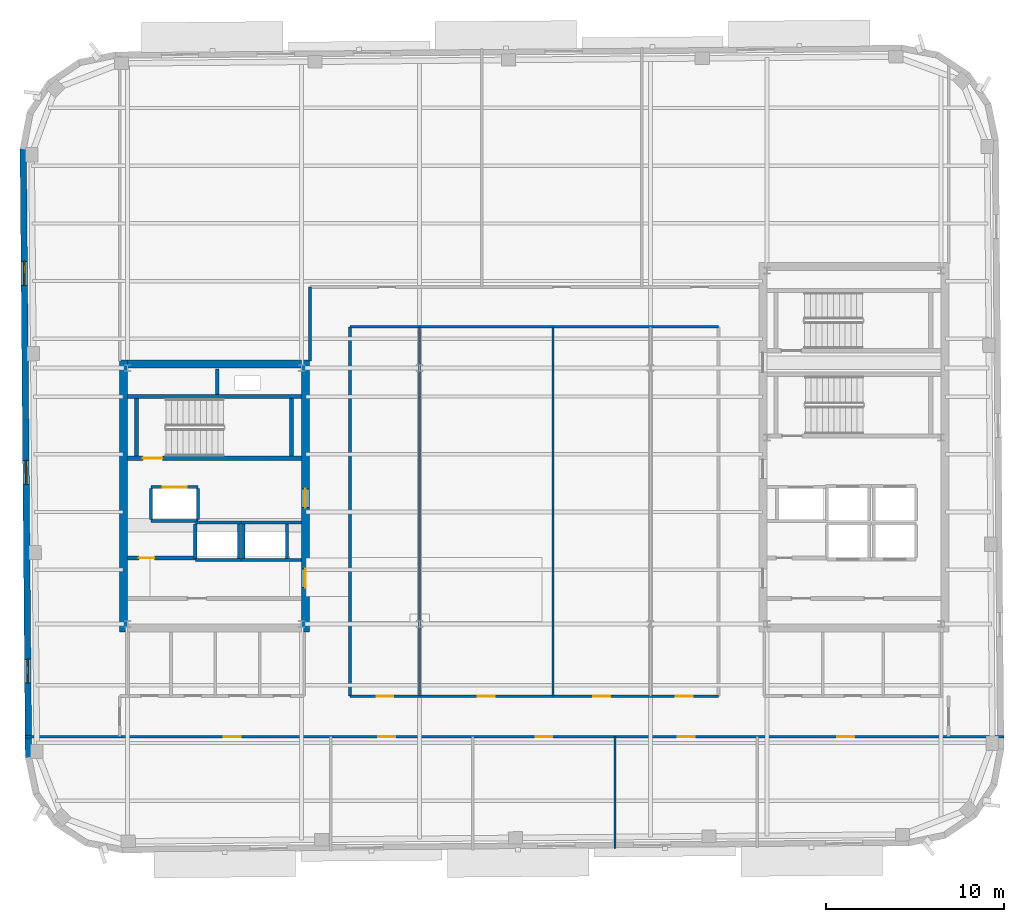
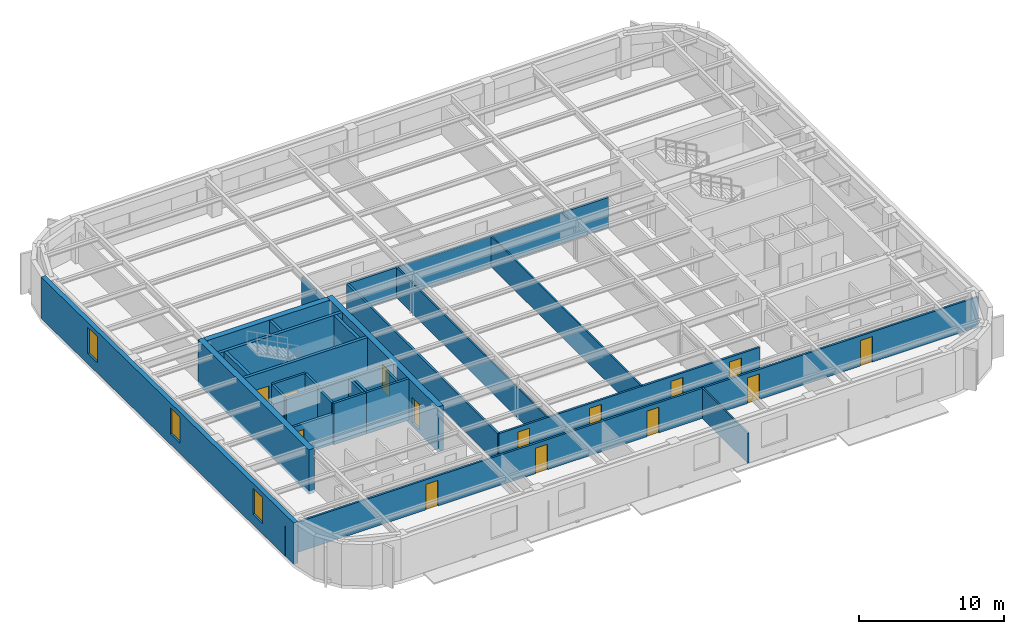
# One storey, part 7 of 15: 30 walls, 14 doors, 3 windows, 17 openings.
"""IFC4 building model written with IfcOpenShell, lengths in metres."""

from ifc_helpers import new_model, si_unit, direction, frame, frame_2d, origin, place, context, subcontext, project, spatial, rectangle, extrude, material, layer, layer_set, type_object, element, fill, save


model = new_model("IFC4")

# Units and contexts
model_context = context("Model", 3, precision=1e-05, world=origin(), true_north=direction((0.0, 1.0)))
body_context = subcontext(model_context, "Body", "Model", "MODEL_VIEW")
ifc_project = project(units=[si_unit("LENGTHUNIT", "METRE"), si_unit("AREAUNIT", "SQUARE_METRE"), si_unit("VOLUMEUNIT", "CUBIC_METRE"), si_unit("PLANEANGLEUNIT", "RADIAN"), si_unit("MASSUNIT", "GRAM", prefix="KILO")], contexts=[model_context])

# Site, building, storey
site_placement = place(None, origin())
site = spatial("IfcSite", under=ifc_project, at=site_placement, CompositionType="ELEMENT")
building_placement = place(site_placement, origin())
building = spatial("IfcBuilding", under=site, at=building_placement, Name="Kolvaren Arena Tower", CompositionType="ELEMENT")
storey_placement = place(building_placement, frame((0.0, 0.0, 293.64990234375)))
storey = spatial("IfcBuildingStorey", under=building, at=storey_placement, Name="L72", CompositionType="ELEMENT", Elevation=293.64990234375)

# Wall, openings, doors
ifc_material_1 = material(Name="Gypsum board acoustic assembly", Category="gypsum")
ifc_layer_1 = layer(ifc_material_1, 0.159912109375)
ifc_layer_set_1 = layer_set([ifc_layer_1], Name="Gypsum board acoustic assembly")
wall_type_1 = type_object("IfcWallType", Name="CORR-160", PredefinedType="PARTITIONING", material=ifc_layer_set_1)
wall_1_placement = place(storey_placement, frame((8.790283203125, 13.10009765625, 0.0), z_axis=(0.0, 0.0, 1.0), x_axis=(1.0, 0.0, 0.0)))
wall_1 = element("IfcWall", 1, at=wall_1_placement, inside=storey, type_object=wall_type_1, Name="Interior Partition Wall (L72)", PredefinedType="PARTITIONING", context=body_context, shape_type="SweptSolid", body=[
    extrude(rectangle(XDim=55.10205078125, YDim=0.159912109375, at=frame_2d((27.551025390625, 0.0))), origin(), (0.0, 0.0, 1.0), 2.5400390625),
])
opening_1_placement = place(wall_1_placement, frame((11.184814453125, 0.0, 0.0)))
opening_1 = element("IfcOpeningElement", 2, at=opening_1_placement, cuts=wall_1, Name="Opening D05", PredefinedType="OPENING", context=body_context, shape_type="SweptSolid", body=[
    extrude(rectangle(XDim=0.949951171875, YDim=2.14990234375, at=frame_2d((0.47509765625, 1.074951171875))), frame((0.0, 0.08984375, 0.0), z_axis=(0.0, -1.0, 0.0), x_axis=(1.0, 0.0, 0.0)), (0.0, 0.0, 1.0), 0.179931640625),
])
opening_2_placement = place(wall_1_placement, frame((19.884765625, 0.0, 0.0)))
opening_2 = element("IfcOpeningElement", 3, at=opening_2_placement, cuts=wall_1, Name="Opening D05", PredefinedType="OPENING", context=body_context, shape_type="SweptSolid", body=[
    extrude(rectangle(XDim=0.949951171875, YDim=2.14990234375, at=frame_2d((0.47509765625, 1.074951171875))), frame((0.0, 0.08984375, 0.0), z_axis=(0.0, -1.0, 0.0), x_axis=(1.0, 0.0, 0.0)), (0.0, 0.0, 1.0), 0.179931640625),
])
opening_3_placement = place(wall_1_placement, frame((28.734619140625, 0.0, 0.0)))
opening_3 = element("IfcOpeningElement", 4, at=opening_3_placement, cuts=wall_1, Name="Opening D05", PredefinedType="OPENING", context=body_context, shape_type="SweptSolid", body=[
    extrude(rectangle(XDim=0.949951171875, YDim=2.14990234375, at=frame_2d((0.47509765625, 1.074951171875))), frame((0.0, 0.08984375, 0.0), z_axis=(0.0, -1.0, 0.0), x_axis=(1.0, 0.0, 0.0)), (0.0, 0.0, 1.0), 0.179931640625),
])
opening_4_placement = place(wall_1_placement, frame((36.734619140625, 0.0, 0.0)))
opening_4 = element("IfcOpeningElement", 5, at=opening_4_placement, cuts=wall_1, Name="Opening D05", PredefinedType="OPENING", context=body_context, shape_type="SweptSolid", body=[
    extrude(rectangle(XDim=0.949951171875, YDim=2.14990234375, at=frame_2d((0.47509765625, 1.074951171875))), frame((0.0, 0.08984375, 0.0), z_axis=(0.0, -1.0, 0.0), x_axis=(1.0, 0.0, 0.0)), (0.0, 0.0, 1.0), 0.179931640625),
])
opening_5_placement = place(wall_1_placement, frame((45.734619140625, 0.0, 0.0)))
opening_5 = element("IfcOpeningElement", 6, at=opening_5_placement, cuts=wall_1, Name="Opening D05", PredefinedType="OPENING", context=body_context, shape_type="SweptSolid", body=[
    extrude(rectangle(XDim=0.949951171875, YDim=2.14990234375, at=frame_2d((0.47509765625, 1.074951171875))), frame((0.0, 0.08984375, 0.0), z_axis=(0.0, -1.0, 0.0), x_axis=(1.0, 0.0, 0.0)), (0.0, 0.0, 1.0), 0.179931640625),
])
ifc_material_2 = material(Name="Solid-core oak acoustic office door", Category="wood")
door_type_1 = type_object("IfcDoorType", Name="DOOR-OF-095", OperationType="NOTDEFINED", PredefinedType="DOOR", material=ifc_material_2)
door_1_placement = place(opening_1_placement, origin())
door_1 = element("IfcDoor", 7, at=door_1_placement, inside=storey, type_object=door_type_1, Name="Executive Office Door (L72)", OperationType="SINGLE_SWING_RIGHT", OverallHeight=2.14990234375, OverallWidth=0.949951171875, PredefinedType="DOOR", context=body_context, shape_type="SweptSolid", body=[
    extrude(rectangle(XDim=0.949951171875, YDim=2.14990234375, at=frame_2d((0.47509765625, 1.074951171875))), frame((0.0, 0.02490234375, 0.0), z_axis=(0.0, -1.0, 0.0), x_axis=(1.0, 0.0, 0.0)), (0.0, 0.0, 1.0), 0.050048828125),
])
fill(opening_1, door_1)
door_2_placement = place(opening_2_placement, origin())
door_2 = element("IfcDoor", 8, at=door_2_placement, inside=storey, type_object=door_type_1, Name="Executive Office Door (L72)", OperationType="SINGLE_SWING_LEFT", OverallHeight=2.14990234375, OverallWidth=0.949951171875, PredefinedType="DOOR", context=body_context, shape_type="SweptSolid", body=[
    extrude(rectangle(XDim=0.949951171875, YDim=2.14990234375, at=frame_2d((0.47509765625, 1.074951171875))), frame((0.0, 0.02490234375, 0.0), z_axis=(0.0, -1.0, 0.0), x_axis=(1.0, 0.0, 0.0)), (0.0, 0.0, 1.0), 0.050048828125),
])
fill(opening_2, door_2)
door_3_placement = place(opening_3_placement, origin())
door_3 = element("IfcDoor", 9, at=door_3_placement, inside=storey, type_object=door_type_1, Name="Meeting Room Door (L72)", OperationType="SINGLE_SWING_RIGHT", OverallHeight=2.14990234375, OverallWidth=0.949951171875, PredefinedType="DOOR", context=body_context, shape_type="SweptSolid", body=[
    extrude(rectangle(XDim=0.949951171875, YDim=2.14990234375, at=frame_2d((0.47509765625, 1.074951171875))), frame((0.0, 0.02490234375, 0.0), z_axis=(0.0, -1.0, 0.0), x_axis=(1.0, 0.0, 0.0)), (0.0, 0.0, 1.0), 0.050048828125),
])
fill(opening_3, door_3)
door_4_placement = place(opening_4_placement, origin())
door_4 = element("IfcDoor", 10, at=door_4_placement, inside=storey, type_object=door_type_1, Name="Client Lounge Door (L72)", OperationType="SINGLE_SWING_LEFT", OverallHeight=2.14990234375, OverallWidth=0.949951171875, PredefinedType="DOOR", context=body_context, shape_type="SweptSolid", body=[
    extrude(rectangle(XDim=0.949951171875, YDim=2.14990234375, at=frame_2d((0.47509765625, 1.074951171875))), frame((0.0, 0.02490234375, 0.0), z_axis=(0.0, -1.0, 0.0), x_axis=(1.0, 0.0, 0.0)), (0.0, 0.0, 1.0), 0.050048828125),
])
fill(opening_4, door_4)
door_5_placement = place(opening_5_placement, origin())
door_5 = element("IfcDoor", 11, at=door_5_placement, inside=storey, type_object=door_type_1, Name="Boardroom Door (L72)", OperationType="SINGLE_SWING_RIGHT", OverallHeight=2.14990234375, OverallWidth=0.949951171875, PredefinedType="DOOR", context=body_context, shape_type="SweptSolid", body=[
    extrude(rectangle(XDim=0.949951171875, YDim=2.14990234375, at=frame_2d((0.47509765625, 1.074951171875))), frame((0.0, 0.02490234375, 0.0), z_axis=(0.0, -1.0, 0.0), x_axis=(1.0, 0.0, 0.0)), (0.0, 0.0, 1.0), 0.050048828125),
])
fill(opening_5, door_5)

# Wall
wall_2_placement = place(storey_placement, frame((24.820068359375, 34.25, 0.0), z_axis=(0.0, 0.0, 1.0), x_axis=(0.0, 1.0, 0.0)))
element("IfcWall", 12, at=wall_2_placement, inside=storey, type_object=wall_type_1, Name="Interior Partition Wall (L72)", PredefinedType="PARTITIONING", context=body_context, shape_type="SweptSolid", body=[
    extrude(rectangle(XDim=4.169921875, YDim=0.159912109375, at=frame_2d((2.0849609375, 0.0))), origin(), (0.0, 0.0, 1.0), 2.5400390625),
])

# Wall, openings, doors
wall_3_placement = place(storey_placement, frame((27.080078125, 15.3798828125, 0.0), z_axis=(0.0, 0.0, 1.0), x_axis=(1.0, 0.0, 0.0)))
wall_3 = element("IfcWall", 13, at=wall_3_placement, inside=storey, type_object=wall_type_1, Name="Interior Partition Wall (L72)", PredefinedType="PARTITIONING", context=body_context, shape_type="SweptSolid", body=[
    extrude(rectangle(XDim=20.739990234375, YDim=0.159912109375, at=frame_2d((10.3701171875, 0.0))), origin(), (0.0, 0.0, 1.0), 2.5400390625),
])
opening_6_placement = place(wall_3_placement, frame((1.4951171875, 0.0, 0.0)))
opening_6 = element("IfcOpeningElement", 14, at=opening_6_placement, cuts=wall_3, Name="Opening D05", PredefinedType="OPENING", context=body_context, shape_type="SweptSolid", body=[
    extrude(rectangle(XDim=0.949951171875, YDim=2.14990234375, at=frame_2d((0.47509765625, 1.074951171875))), frame((0.0, 0.08984375, 0.0), z_axis=(0.0, -1.0, 0.0), x_axis=(1.0, 0.0, 0.0)), (0.0, 0.0, 1.0), 0.179931640625),
])
opening_7_placement = place(wall_3_placement, frame((7.195068359375, 0.0, 0.0)))
opening_7 = element("IfcOpeningElement", 15, at=opening_7_placement, cuts=wall_3, Name="Opening D05", PredefinedType="OPENING", context=body_context, shape_type="SweptSolid", body=[
    extrude(rectangle(XDim=0.949951171875, YDim=2.14990234375, at=frame_2d((0.47509765625, 1.074951171875))), frame((0.0, 0.08984375, 0.0), z_axis=(0.0, -1.0, 0.0), x_axis=(1.0, 0.0, 0.0)), (0.0, 0.0, 1.0), 0.179931640625),
])
opening_8_placement = place(wall_3_placement, frame((13.695068359375, 0.0, 0.0)))
opening_8 = element("IfcOpeningElement", 16, at=opening_8_placement, cuts=wall_3, Name="Opening D05", PredefinedType="OPENING", context=body_context, shape_type="SweptSolid", body=[
    extrude(rectangle(XDim=0.949951171875, YDim=2.14990234375, at=frame_2d((0.47509765625, 1.074951171875))), frame((0.0, 0.08984375, 0.0), z_axis=(0.0, -1.0, 0.0), x_axis=(1.0, 0.0, 0.0)), (0.0, 0.0, 1.0), 0.179931640625),
])
opening_9_placement = place(wall_3_placement, frame((18.344970703125, 0.0, 0.0)))
opening_9 = element("IfcOpeningElement", 17, at=opening_9_placement, cuts=wall_3, Name="Opening D05", PredefinedType="OPENING", context=body_context, shape_type="SweptSolid", body=[
    extrude(rectangle(XDim=0.949951171875, YDim=2.14990234375, at=frame_2d((0.47509765625, 1.074951171875))), frame((0.0, 0.08984375, 0.0), z_axis=(0.0, -1.0, 0.0), x_axis=(1.0, 0.0, 0.0)), (0.0, 0.0, 1.0), 0.179931640625),
])
door_6_placement = place(opening_6_placement, origin())
door_6 = element("IfcDoor", 18, at=door_6_placement, inside=storey, type_object=door_type_1, Name="Meeting Room Door (L72)", OperationType="SINGLE_SWING_RIGHT", OverallHeight=2.14990234375, OverallWidth=0.949951171875, PredefinedType="DOOR", context=body_context, shape_type="SweptSolid", body=[
    extrude(rectangle(XDim=0.949951171875, YDim=2.14990234375, at=frame_2d((0.47509765625, 1.074951171875))), frame((0.0, 0.02490234375, 0.0), z_axis=(0.0, -1.0, 0.0), x_axis=(1.0, 0.0, 0.0)), (0.0, 0.0, 1.0), 0.050048828125),
])
fill(opening_6, door_6)
door_7_placement = place(opening_7_placement, origin())
door_7 = element("IfcDoor", 19, at=door_7_placement, inside=storey, type_object=door_type_1, Name="Open Plan Office Door (L72)", OperationType="SINGLE_SWING_LEFT", OverallHeight=2.14990234375, OverallWidth=0.949951171875, PredefinedType="DOOR", context=body_context, shape_type="SweptSolid", body=[
    extrude(rectangle(XDim=0.949951171875, YDim=2.14990234375, at=frame_2d((0.47509765625, 1.074951171875))), frame((0.0, 0.02490234375, 0.0), z_axis=(0.0, -1.0, 0.0), x_axis=(1.0, 0.0, 0.0)), (0.0, 0.0, 1.0), 0.050048828125),
])
fill(opening_7, door_7)
door_8_placement = place(opening_8_placement, origin())
door_8 = element("IfcDoor", 20, at=door_8_placement, inside=storey, type_object=door_type_1, Name="Corporate Project Office Door (L72)", OperationType="SINGLE_SWING_RIGHT", OverallHeight=2.14990234375, OverallWidth=0.949951171875, PredefinedType="DOOR", context=body_context, shape_type="SweptSolid", body=[
    extrude(rectangle(XDim=0.949951171875, YDim=2.14990234375, at=frame_2d((0.47509765625, 1.074951171875))), frame((0.0, 0.02490234375, 0.0), z_axis=(0.0, -1.0, 0.0), x_axis=(1.0, 0.0, 0.0)), (0.0, 0.0, 1.0), 0.050048828125),
])
fill(opening_8, door_8)
door_9_placement = place(opening_9_placement, origin())
door_9 = element("IfcDoor", 21, at=door_9_placement, inside=storey, type_object=door_type_1, Name="Breakout Pantry and Kitchen Door (L72)", OperationType="SINGLE_SWING_LEFT", OverallHeight=2.14990234375, OverallWidth=0.949951171875, PredefinedType="DOOR", context=body_context, shape_type="SweptSolid", body=[
    extrude(rectangle(XDim=0.949951171875, YDim=2.14990234375, at=frame_2d((0.47509765625, 1.074951171875))), frame((0.0, 0.02490234375, 0.0), z_axis=(0.0, -1.0, 0.0), x_axis=(1.0, 0.0, 0.0)), (0.0, 0.0, 1.0), 0.050048828125),
])
fill(opening_9, door_9)

# Walls
wall_4_placement = place(storey_placement, frame((27.080078125, 36.179931640625, 0.0), z_axis=(0.0, 0.0, 1.0), x_axis=(1.0, 0.0, 0.0)))
element("IfcWall", 22, at=wall_4_placement, inside=storey, type_object=wall_type_1, Name="Interior Partition Wall (L72)", PredefinedType="PARTITIONING", context=body_context, shape_type="SweptSolid", body=[
    extrude(rectangle(XDim=20.739990234375, YDim=0.159912109375, at=frame_2d((10.3701171875, 0.0))), origin(), (0.0, 0.0, 1.0), 2.5400390625),
])
wall_5_placement = place(storey_placement, frame((27.080078125, 15.3798828125, 0.0), z_axis=(0.0, 0.0, 1.0), x_axis=(0.0, 1.0, 0.0)))
element("IfcWall", 23, at=wall_5_placement, inside=storey, type_object=wall_type_1, Name="Interior Partition Wall (L72)", PredefinedType="PARTITIONING", context=body_context, shape_type="SweptSolid", body=[
    extrude(rectangle(XDim=20.800048828125, YDim=0.159912109375, at=frame_2d((10.39990234375, 0.0))), origin(), (0.0, 0.0, 1.0), 2.5400390625),
])
ifc_material_3 = material(Name="Concrete 55 MPa", Category="concrete")
ifc_layer_2 = layer(ifc_material_3, 0.449951171875)
ifc_layer_set_2 = layer_set([ifc_layer_2], Name="Concrete 55 MPa")
wall_type_2 = type_object("IfcWallType", Name="CWALL-450", PredefinedType="SHEAR", material=ifc_layer_set_2)
wall_6_placement = place(storey_placement, frame((14.324951171875, 19.0, -0.27001953125), z_axis=(0.0, 0.0, 1.0), x_axis=(0.0, 1.0, 0.0)))
element("IfcWall", 24, at=wall_6_placement, inside=storey, type_object=wall_type_2, Name="Core Shear Wall WC-WEST (L72)", PredefinedType="SHEAR", context=body_context, shape_type="SweptSolid", body=[
    extrude(rectangle(XDim=15.300048828125, YDim=0.449951171875, at=frame_2d((7.64990234375, 0.0))), origin(), (0.0, 0.0, 1.0), 3.75),
])

# Wall, openings, doors
wall_7_placement = place(storey_placement, frame((24.574951171875, 19.0, -0.27001953125), z_axis=(0.0, 0.0, 1.0), x_axis=(0.0, 1.0, 0.0)))
wall_7 = element("IfcWall", 25, at=wall_7_placement, inside=storey, type_object=wall_type_2, Name="Core Shear Wall WC-EAST (L72)", PredefinedType="SHEAR", context=body_context, shape_type="SweptSolid", body=[
    extrude(rectangle(XDim=15.300048828125, YDim=0.449951171875, at=frame_2d((7.64990234375, 0.0))), origin(), (0.0, 0.0, 1.0), 3.75),
])
opening_10_placement = place(wall_7_placement, frame((2.5, 0.0, 0.27001953125)))
opening_10 = element("IfcOpeningElement", 26, at=opening_10_placement, cuts=wall_7, Name="Opening D04", PredefinedType="OPENING", context=body_context, shape_type="SweptSolid", body=[
    extrude(rectangle(XDim=1.050048828125, YDim=2.14990234375, at=frame_2d((0.52490234375, 1.074951171875))), frame((0.0, 0.23486328125, 0.0), z_axis=(0.0, -1.0, 0.0), x_axis=(1.0, 0.0, 0.0)), (0.0, 0.0, 1.0), 0.469970703125),
])
opening_11_placement = place(wall_7_placement, frame((7.0, 0.0, 0.27001953125)))
opening_11 = element("IfcOpeningElement", 27, at=opening_11_placement, cuts=wall_7, Name="Opening D04", PredefinedType="OPENING", context=body_context, shape_type="SweptSolid", body=[
    extrude(rectangle(XDim=1.050048828125, YDim=2.14990234375, at=frame_2d((0.52490234375, 1.074951171875))), frame((0.0, 0.23486328125, 0.0), z_axis=(0.0, -1.0, 0.0), x_axis=(1.0, 0.0, 0.0)), (0.0, 0.0, 1.0), 0.469970703125),
])
ifc_material_4 = material(Name="Fire-rated steel lobby door", Category="steel")
door_type_2 = type_object("IfcDoorType", Name="DOOR-FF-105", OperationType="NOTDEFINED", PredefinedType="DOOR", material=ifc_material_4)
door_10_placement = place(opening_10_placement, origin())
door_10 = element("IfcDoor", 28, at=door_10_placement, inside=storey, type_object=door_type_2, Name="West Lift Lobby Fire Door (L72)", OperationType="SINGLE_SWING_LEFT", OverallHeight=2.14990234375, OverallWidth=1.050048828125, PredefinedType="DOOR", context=body_context, shape_type="SweptSolid", body=[
    extrude(rectangle(XDim=1.050048828125, YDim=2.14990234375, at=frame_2d((0.52490234375, 1.074951171875))), frame((0.0, 0.02490234375, 0.0), z_axis=(0.0, -1.0, 0.0), x_axis=(1.0, 0.0, 0.0)), (0.0, 0.0, 1.0), 0.050048828125),
])
fill(opening_10, door_10)
door_11_placement = place(opening_11_placement, origin())
door_11 = element("IfcDoor", 29, at=door_11_placement, inside=storey, type_object=door_type_2, Name="West Firefighter Vestibule Door (L72)", OperationType="SINGLE_SWING_RIGHT", OverallHeight=2.14990234375, OverallWidth=1.050048828125, PredefinedType="DOOR", context=body_context, shape_type="SweptSolid", body=[
    extrude(rectangle(XDim=1.050048828125, YDim=2.14990234375, at=frame_2d((0.52490234375, 1.074951171875))), frame((0.0, 0.02490234375, 0.0), z_axis=(0.0, -1.0, 0.0), x_axis=(1.0, 0.0, 0.0)), (0.0, 0.0, 1.0), 0.050048828125),
])
fill(opening_11, door_11)

# Wall
wall_8_placement = place(storey_placement, frame((14.550048828125, 34.074951171875, -0.27001953125), z_axis=(0.0, 0.0, 1.0), x_axis=(1.0, 0.0, 0.0)))
element("IfcWall", 30, at=wall_8_placement, inside=storey, type_object=wall_type_2, Name="Core Shear Wall WC-NORTH (L72)", PredefinedType="SHEAR", context=body_context, shape_type="SweptSolid", body=[
    extrude(rectangle(XDim=9.800048828125, YDim=0.449951171875, at=frame_2d((4.89990234375, 0.0))), origin(), (0.0, 0.0, 1.0), 3.75),
])

# Wall, openings, windows
ifc_material_5 = material(Name="Precast concrete C50/60", Category="concrete")
ifc_layer_3 = layer(ifc_material_5, 0.360107421875)
ifc_layer_set_3 = layer_set([ifc_layer_3], Name="Precast concrete C50/60")
wall_type_3 = type_object("IfcWallType", Name="EXT-PIER2", PredefinedType="SOLIDWALL", material=ifc_layer_set_3)
wall_9_placement = place(storey_placement, frame((8.980712890625, 11.911865234375, 0.0), z_axis=(0.0, 0.0, 1.0), x_axis=(-0.008726453825, 0.999961923777, 0.0)))
wall_9 = element("IfcWall", 31, at=wall_9_placement, inside=storey, type_object=wall_type_3, Name="Exterior Precast Masonry-Frame Wall (L72)", PredefinedType="SOLIDWALL", context=body_context, shape_type="SweptSolid", body=[
    extrude(rectangle(XDim=34.2998046875, YDim=0.360107421875, at=frame_2d((17.14990234375, 0.0))), origin(), (0.0, 0.0, 1.0), 3.47998046875),
])
opening_12_placement = place(wall_9_placement, frame((4.199951171875, 0.0, 0.8798828125)))
opening_12 = element("IfcOpeningElement", 32, at=opening_12_placement, cuts=wall_9, Name="Opening W04", PredefinedType="OPENING", context=body_context, shape_type="SweptSolid", body=[
    extrude(rectangle(XDim=1.35009765625, YDim=2.199951171875, at=frame_2d((0.675048828125, 1.10009765625))), frame((0.0, 0.18994140625, 0.0), z_axis=(0.0, -1.0, 0.0), x_axis=(1.0, 0.0, 0.0)), (0.0, 0.0, 1.0), 0.380126953125),
])
opening_13_placement = place(wall_9_placement, frame((15.39990234375, 0.0, 0.8798828125)))
opening_13 = element("IfcOpeningElement", 33, at=opening_13_placement, cuts=wall_9, Name="Opening W04", PredefinedType="OPENING", context=body_context, shape_type="SweptSolid", body=[
    extrude(rectangle(XDim=1.35009765625, YDim=2.199951171875, at=frame_2d((0.675048828125, 1.10009765625))), frame((0.0, 0.18994140625, 0.0), z_axis=(0.0, -1.0, 0.0), x_axis=(1.0, 0.0, 0.0)), (0.0, 0.0, 1.0), 0.380126953125),
])
opening_14_placement = place(wall_9_placement, frame((26.60009765625, 0.0, 0.8798828125)))
opening_14 = element("IfcOpeningElement", 34, at=opening_14_placement, cuts=wall_9, Name="Opening W04", PredefinedType="OPENING", context=body_context, shape_type="SweptSolid", body=[
    extrude(rectangle(XDim=1.35009765625, YDim=2.199951171875, at=frame_2d((0.675048828125, 1.10009765625))), frame((0.0, 0.18994140625, 0.0), z_axis=(0.0, -1.0, 0.0), x_axis=(1.0, 0.0, 0.0)), (0.0, 0.0, 1.0), 0.380126953125),
])
ifc_material_6 = material(Name="Triple-glazed curved-facet corner window", Category="glass")
window_type = type_object("IfcWindowType", Name="WIN-CRN-A", PartitioningType="SINGLE_PANEL", PredefinedType="WINDOW", material=ifc_material_6)
window_1_placement = place(opening_12_placement, origin())
window_1 = element("IfcWindow", 35, at=window_1_placement, inside=storey, type_object=window_type, Name="End-Wall Punched Window (L72)", OverallHeight=2.199951171875, OverallWidth=1.35009765625, PartitioningType="SINGLE_PANEL", PredefinedType="WINDOW", context=body_context, shape_type="SweptSolid", body=[
    extrude(rectangle(XDim=1.35009765625, YDim=2.199951171875, at=frame_2d((0.675048828125, 1.10009765625))), frame((0.0, 0.030029296875, 0.0), z_axis=(0.0, -1.0, 0.0), x_axis=(1.0, 0.0, 0.0)), (0.0, 0.0, 1.0), 0.06005859375),
])
fill(opening_12, window_1)
window_2_placement = place(opening_13_placement, origin())
window_2 = element("IfcWindow", 36, at=window_2_placement, inside=storey, type_object=window_type, Name="End-Wall Punched Window (L72)", OverallHeight=2.199951171875, OverallWidth=1.35009765625, PartitioningType="SINGLE_PANEL", PredefinedType="WINDOW", context=body_context, shape_type="SweptSolid", body=[
    extrude(rectangle(XDim=1.35009765625, YDim=2.199951171875, at=frame_2d((0.675048828125, 1.10009765625))), frame((0.0, 0.030029296875, 0.0), z_axis=(0.0, -1.0, 0.0), x_axis=(1.0, 0.0, 0.0)), (0.0, 0.0, 1.0), 0.06005859375),
])
fill(opening_13, window_2)
window_3_placement = place(opening_14_placement, origin())
window_3 = element("IfcWindow", 37, at=window_3_placement, inside=storey, type_object=window_type, Name="End-Wall Punched Window (L72)", OverallHeight=2.199951171875, OverallWidth=1.35009765625, PartitioningType="SINGLE_PANEL", PredefinedType="WINDOW", context=body_context, shape_type="SweptSolid", body=[
    extrude(rectangle(XDim=1.35009765625, YDim=2.199951171875, at=frame_2d((0.675048828125, 1.10009765625))), frame((0.0, 0.030029296875, 0.0), z_axis=(0.0, -1.0, 0.0), x_axis=(1.0, 0.0, 0.0)), (0.0, 0.0, 1.0), 0.06005859375),
])
fill(opening_14, window_3)

# Wall, opening, door
ifc_material_7 = material(Name="Concrete 40 MPa", Category="concrete")
ifc_layer_4 = layer(ifc_material_7, 0.199951171875)
ifc_layer_set_4 = layer_set([ifc_layer_4], Name="Concrete 40 MPa")
wall_type_4 = type_object("IfcWallType", Name="LOBBY-200", PredefinedType="SOLIDWALL", material=ifc_layer_set_4)
wall_10_placement = place(storey_placement, frame((14.550048828125, 23.159912109375, 0.0), z_axis=(0.0, 0.0, 1.0), x_axis=(1.0, 0.0, 0.0)))
wall_10 = element("IfcWall", 38, at=wall_10_placement, inside=storey, type_object=wall_type_4, Name="Core Shaft Wall (L72)", PredefinedType="SOLIDWALL", context=body_context, shape_type="SweptSolid", body=[
    extrude(rectangle(XDim=3.820068359375, YDim=0.199951171875, at=frame_2d((1.91015625, 0.0))), origin(), (0.0, 0.0, 1.0), 2.5400390625),
])
opening_15_placement = place(wall_10_placement, frame((0.64990234375, 0.0, 0.0)))
opening_15 = element("IfcOpeningElement", 39, at=opening_15_placement, cuts=wall_10, Name="Opening D09", PredefinedType="OPENING", context=body_context, shape_type="SweptSolid", body=[
    extrude(rectangle(XDim=0.860107421875, YDim=2.050048828125, at=frame_2d((0.43017578125, 1.02490234375))), frame((0.0, 0.10986328125, 0.0), z_axis=(0.0, -1.0, 0.0), x_axis=(1.0, 0.0, 0.0)), (0.0, 0.0, 1.0), 0.219970703125),
])
ifc_material_8 = material(Name="Fire-rated steel riser access door", Category="steel")
door_type_3 = type_object("IfcDoorType", Name="DOOR-RS-086", OperationType="NOTDEFINED", PredefinedType="DOOR", material=ifc_material_8)
door_12_placement = place(opening_15_placement, origin())
door_12 = element("IfcDoor", 40, at=door_12_placement, inside=storey, type_object=door_type_3, Name="West Document Archive Riser Door (L72)", OperationType="SINGLE_SWING_RIGHT", OverallHeight=2.050048828125, OverallWidth=0.860107421875, PredefinedType="DOOR", context=body_context, shape_type="SweptSolid", body=[
    extrude(rectangle(XDim=0.860107421875, YDim=2.050048828125, at=frame_2d((0.43017578125, 1.02490234375))), frame((0.0, 0.02490234375, 0.0), z_axis=(0.0, -1.0, 0.0), x_axis=(1.0, 0.0, 0.0)), (0.0, 0.0, 1.0), 0.050048828125),
])
fill(opening_15, door_12)

# Walls
ifc_material_9 = material(Name="Gypsum board partition assembly", Category="gypsum")
ifc_layer_5 = layer(ifc_material_9, 0.114990234375)
ifc_layer_set_5 = layer_set([ifc_layer_5], Name="Gypsum board partition assembly")
wall_type_5 = type_object("IfcWallType", Name="PART-115", PredefinedType="PARTITIONING", material=ifc_layer_set_5)
for number, where, z_axis, x_axis, name in (
    (41, (31.0, 15.3798828125, 0.0), (0.0, 0.0, 1.0), (0.0, 1.0, 0.0), "Interior Partition Wall (L72)"),
    (42, (38.5, 15.3798828125, 0.0), (0.0, 0.0, 1.0), (0.0, 1.0, 0.0), "Interior Partition Wall (L72)"),
):
    element("IfcWall", number, at=place(storey_placement, frame(where, z_axis=z_axis, x_axis=x_axis)), inside=storey, type_object=wall_type_5, Name=name, PredefinedType="PARTITIONING", context=body_context, shape_type="SweptSolid", body=[
        extrude(rectangle(XDim=20.800048828125, YDim=0.114990234375, at=frame_2d((10.39990234375, 0.0))), origin(), (0.0, 0.0, 1.0), 2.5400390625),
    ])
ifc_layer_6 = layer(ifc_material_9, 0.135009765625)
ifc_layer_set_6 = layer_set([ifc_layer_6], Name="Gypsum board partition assembly")
wall_type_6 = type_object("IfcWallType", Name="PART-135", PredefinedType="PARTITIONING", material=ifc_layer_set_6)
wall_11_placement = place(storey_placement, frame((42.0, 6.7998046875, 0.0), z_axis=(0.0, 0.0, 1.0), x_axis=(0.0, 1.0, 0.0)))
element("IfcWall", 43, at=wall_11_placement, inside=storey, type_object=wall_type_6, Name="Interior Partition Wall (L72)", PredefinedType="PARTITIONING", context=body_context, shape_type="SweptSolid", body=[
    extrude(rectangle(XDim=6.30029296875, YDim=0.135009765625, at=frame_2d((3.150146484375, 0.0))), origin(), (0.0, 0.0, 1.0), 2.5400390625),
])

# Wall, opening, door
ifc_material_10 = material(Name="Concrete 45 MPa", Category="concrete")
ifc_layer_7 = layer(ifc_material_10, 0.25)
ifc_layer_set_7 = layer_set([ifc_layer_7], Name="Concrete 45 MPa")
wall_type_7 = type_object("IfcWallType", Name="SHAFT-250", PredefinedType="SOLIDWALL", material=ifc_layer_set_7)
wall_12_placement = place(storey_placement, frame((24.35009765625, 28.780029296875, 0.0), z_axis=(0.0, 0.0, 1.0), x_axis=(-1.0, 0.0, 0.0)))
wall_12 = element("IfcWall", 44, at=wall_12_placement, inside=storey, type_object=wall_type_7, Name="Core Shaft Wall (L72)", PredefinedType="SOLIDWALL", context=body_context, shape_type="SweptSolid", body=[
    extrude(rectangle(XDim=9.800048828125, YDim=0.239990234375, at=frame_2d((4.89990234375, 0.0))), origin(), (0.0, 0.0, 1.0), 3.47998046875),
])
opening_16_placement = place(wall_12_placement, frame((7.830078125, 0.0, 0.0)))
opening_16 = element("IfcOpeningElement", 45, at=opening_16_placement, cuts=wall_12, Name="Opening D03", PredefinedType="OPENING", context=body_context, shape_type="SweptSolid", body=[
    extrude(rectangle(XDim=1.10009765625, YDim=2.14990234375, at=frame_2d((0.550048828125, 1.074951171875))), frame((0.0, 0.1298828125, 0.0), z_axis=(0.0, -1.0, 0.0), x_axis=(1.0, 0.0, 0.0)), (0.0, 0.0, 1.0), 0.260009765625),
])
ifc_material_11 = material(Name="Fire-rated steel exit stair door", Category="steel")
door_type_4 = type_object("IfcDoorType", Name="DOOR-ST-110", OperationType="NOTDEFINED", PredefinedType="DOOR", material=ifc_material_11)
door_13_placement = place(opening_16_placement, origin())
door_13 = element("IfcDoor", 46, at=door_13_placement, inside=storey, type_object=door_type_4, Name="Stair ST-W1 Fire Door (L72)", OperationType="SINGLE_SWING_RIGHT", OverallHeight=2.14990234375, OverallWidth=1.10009765625, PredefinedType="DOOR", context=body_context, shape_type="SweptSolid", body=[
    extrude(rectangle(XDim=1.10009765625, YDim=2.14990234375, at=frame_2d((0.550048828125, 1.074951171875))), frame((0.0, 0.02490234375, 0.0), z_axis=(0.0, -1.0, 0.0), x_axis=(1.0, 0.0, 0.0)), (0.0, 0.0, 1.0), 0.050048828125),
])
fill(opening_16, door_13)

# Walls
wall_13_placement = place(storey_placement, frame((14.550048828125, 32.25, 0.0), z_axis=(0.0, 0.0, 1.0), x_axis=(1.0, 0.0, 0.0)))
element("IfcWall", 47, at=wall_13_placement, inside=storey, type_object=wall_type_7, Name="Core Shaft Wall (L72)", PredefinedType="SOLIDWALL", context=body_context, shape_type="SweptSolid", body=[
    extrude(rectangle(XDim=9.800048828125, YDim=0.239990234375, at=frame_2d((4.89990234375, 0.0))), origin(), (0.0, 0.0, 1.0), 3.47998046875),
])
for number, where, z_axis, x_axis, name in (
    (48, (15.06005859375, 28.89990234375, 0.0), (0.0, 0.0, 1.0), (0.0, 1.0, 0.0), "Core Shaft Wall (L72)"),
    (49, (23.780029296875, 28.89990234375, 0.0), (0.0, 0.0, 1.0), (0.0, 1.0, 0.0), "Core Shaft Wall (L72)"),
):
    element("IfcWall", number, at=place(storey_placement, frame(where, z_axis=z_axis, x_axis=x_axis)), inside=storey, type_object=wall_type_7, Name=name, PredefinedType="SOLIDWALL", context=body_context, shape_type="SweptSolid", body=[
        extrude(rectangle(XDim=3.22998046875, YDim=0.239990234375, at=frame_2d((1.614990234375, 0.0))), origin(), (0.0, 0.0, 1.0), 3.47998046875),
    ])
wall_14_placement = place(storey_placement, frame((19.60009765625, 32.3701171875, 0.0), z_axis=(0.0, 0.0, 1.0), x_axis=(0.0, 1.0, 0.0)))
element("IfcWall", 50, at=wall_14_placement, inside=storey, type_object=wall_type_7, Name="Core Shaft Wall (L72)", PredefinedType="SOLIDWALL", context=body_context, shape_type="SweptSolid", body=[
    extrude(rectangle(XDim=1.429931640625, YDim=0.199951171875, at=frame_2d((0.71484375, 0.0))), origin(), (0.0, 0.0, 1.0), 3.47998046875),
])
for number, where, z_axis, x_axis, name in (
    (51, (18.3701171875, 25.155029296875, 0.0), (0.0, 0.0, 1.0), (1.0, 0.0, 0.0), "Core Shaft Wall (L72)"),
    (52, (18.3701171875, 23.044921875, 0.0), (0.0, 0.0, 1.0), (1.0, 0.0, 0.0), "Core Shaft Wall (L72)"),
):
    element("IfcWall", number, at=place(storey_placement, frame(where, z_axis=z_axis, x_axis=x_axis)), inside=storey, type_object=wall_type_7, Name=name, PredefinedType="SOLIDWALL", context=body_context, shape_type="SweptSolid", body=[
        extrude(rectangle(XDim=2.579833984375, YDim=0.179931640625, at=frame_2d((1.2900390625, 0.0))), origin(), (0.0, 0.0, 1.0), 3.47998046875),
    ])
for number, where, z_axis, x_axis, name in (
    (53, (18.3701171875, 23.135009765625, 0.0), (0.0, 0.0, 1.0), (0.0, 1.0, 0.0), "Core Shaft Wall (L72)"),
    (54, (20.830078125, 23.135009765625, 0.0), (0.0, 0.0, 1.0), (0.0, 1.0, 0.0), "Core Shaft Wall (L72)"),
):
    element("IfcWall", number, at=place(storey_placement, frame(where, z_axis=z_axis, x_axis=x_axis)), inside=storey, type_object=wall_type_7, Name=name, PredefinedType="SOLIDWALL", context=body_context, shape_type="SweptSolid", body=[
        extrude(rectangle(XDim=1.929931640625, YDim=0.179931640625, at=frame_2d((0.96484375, 0.0))), origin(), (0.0, 0.0, 1.0), 3.47998046875),
    ])
for number, where, z_axis, x_axis, name in (
    (55, (20.949951171875, 25.155029296875, 0.0), (0.0, 0.0, 1.0), (1.0, 0.0, 0.0), "Core Shaft Wall (L72)"),
    (56, (20.949951171875, 23.044921875, 0.0), (0.0, 0.0, 1.0), (1.0, 0.0, 0.0), "Core Shaft Wall (L72)"),
):
    element("IfcWall", number, at=place(storey_placement, frame(where, z_axis=z_axis, x_axis=x_axis)), inside=storey, type_object=wall_type_7, Name=name, PredefinedType="SOLIDWALL", context=body_context, shape_type="SweptSolid", body=[
        extrude(rectangle(XDim=3.400146484375, YDim=0.179931640625, at=frame_2d((1.7001953125, 0.0))), origin(), (0.0, 0.0, 1.0), 3.47998046875),
    ])
for number, where, z_axis, x_axis, name in (
    (57, (21.070068359375, 23.135009765625, 0.0), (0.0, 0.0, 1.0), (0.0, 1.0, 0.0), "Core Shaft Wall (L72)"),
    (58, (23.530029296875, 23.135009765625, 0.0), (0.0, 0.0, 1.0), (0.0, 1.0, 0.0), "Core Shaft Wall (L72)"),
):
    element("IfcWall", number, at=place(storey_placement, frame(where, z_axis=z_axis, x_axis=x_axis)), inside=storey, type_object=wall_type_7, Name=name, PredefinedType="SOLIDWALL", context=body_context, shape_type="SweptSolid", body=[
        extrude(rectangle(XDim=1.929931640625, YDim=0.179931640625, at=frame_2d((0.96484375, 0.0))), origin(), (0.0, 0.0, 1.0), 3.47998046875),
    ])

# Wall, opening, door
wall_15_placement = place(storey_placement, frame((15.8701171875, 27.155029296875, 0.0), z_axis=(0.0, 0.0, 1.0), x_axis=(1.0, 0.0, 0.0)))
wall_15 = element("IfcWall", 59, at=wall_15_placement, inside=storey, type_object=wall_type_7, Name="Core Shaft Wall (L72)", PredefinedType="SOLIDWALL", context=body_context, shape_type="SweptSolid", body=[
    extrude(rectangle(XDim=2.659912109375, YDim=0.179931640625, at=frame_2d((1.330078125, 0.0))), origin(), (0.0, 0.0, 1.0), 3.47998046875),
])
opening_17_placement = place(wall_15_placement, frame((0.655029296875, 0.0, 0.0)))
opening_17 = element("IfcOpeningElement", 60, at=opening_17_placement, cuts=wall_15, Name="Opening LD2", PredefinedType="OPENING", context=body_context, shape_type="SweptSolid", body=[
    extrude(rectangle(XDim=1.35009765625, YDim=2.300048828125, at=frame_2d((0.675048828125, 1.14990234375))), frame((0.0, 0.099853515625, 0.0), z_axis=(0.0, -1.0, 0.0), x_axis=(1.0, 0.0, 0.0)), (0.0, 0.0, 1.0), 0.199951171875),
])
ifc_material_12 = material(Name="Stainless steel firefighter lift landing door", Category="steel")
door_type_5 = type_object("IfcDoorType", Name="DOOR-LD-135", OperationType="DOUBLE_DOOR_SLIDING", PredefinedType="DOOR", material=ifc_material_12)
door_14_placement = place(opening_17_placement, origin())
door_14 = element("IfcDoor", 61, at=door_14_placement, inside=storey, type_object=door_type_5, Name="Firefighter Lift FF-W1 Landing Door (L72)", OperationType="DOUBLE_DOOR_SLIDING", OverallHeight=2.300048828125, OverallWidth=1.35009765625, PredefinedType="DOOR", context=body_context, shape_type="SweptSolid", body=[
    extrude(rectangle(XDim=1.35009765625, YDim=2.300048828125, at=frame_2d((0.675048828125, 1.14990234375))), frame((0.0, 0.02490234375, 0.0), z_axis=(0.0, -1.0, 0.0), x_axis=(1.0, 0.0, 0.0)), (0.0, 0.0, 1.0), 0.050048828125),
])
fill(opening_17, door_14)

# Walls
wall_16_placement = place(storey_placement, frame((15.8701171875, 25.2451171875, 0.0), z_axis=(0.0, 0.0, 1.0), x_axis=(1.0, 0.0, 0.0)))
element("IfcWall", 62, at=wall_16_placement, inside=storey, type_object=wall_type_7, Name="Core Shaft Wall (L72)", PredefinedType="SOLIDWALL", context=body_context, shape_type="SweptSolid", body=[
    extrude(rectangle(XDim=2.659912109375, YDim=0.179931640625, at=frame_2d((1.330078125, 0.0))), origin(), (0.0, 0.0, 1.0), 3.47998046875),
])
for number, where, z_axis, x_axis, name in (
    (63, (15.8701171875, 25.3349609375, 0.0), (0.0, 0.0, 1.0), (0.0, 1.0, 0.0), "Core Shaft Wall (L72)"),
    (64, (18.530029296875, 25.3349609375, 0.0), (0.0, 0.0, 1.0), (0.0, 1.0, 0.0), "Core Shaft Wall (L72)"),
):
    element("IfcWall", number, at=place(storey_placement, frame(where, z_axis=z_axis, x_axis=x_axis)), inside=storey, type_object=wall_type_7, Name=name, PredefinedType="SOLIDWALL", context=body_context, shape_type="SweptSolid", body=[
        extrude(rectangle(XDim=1.72998046875, YDim=0.179931640625, at=frame_2d((0.864990234375, 0.0))), origin(), (0.0, 0.0, 1.0), 3.47998046875),
    ])

save(model, "model.ifc")
